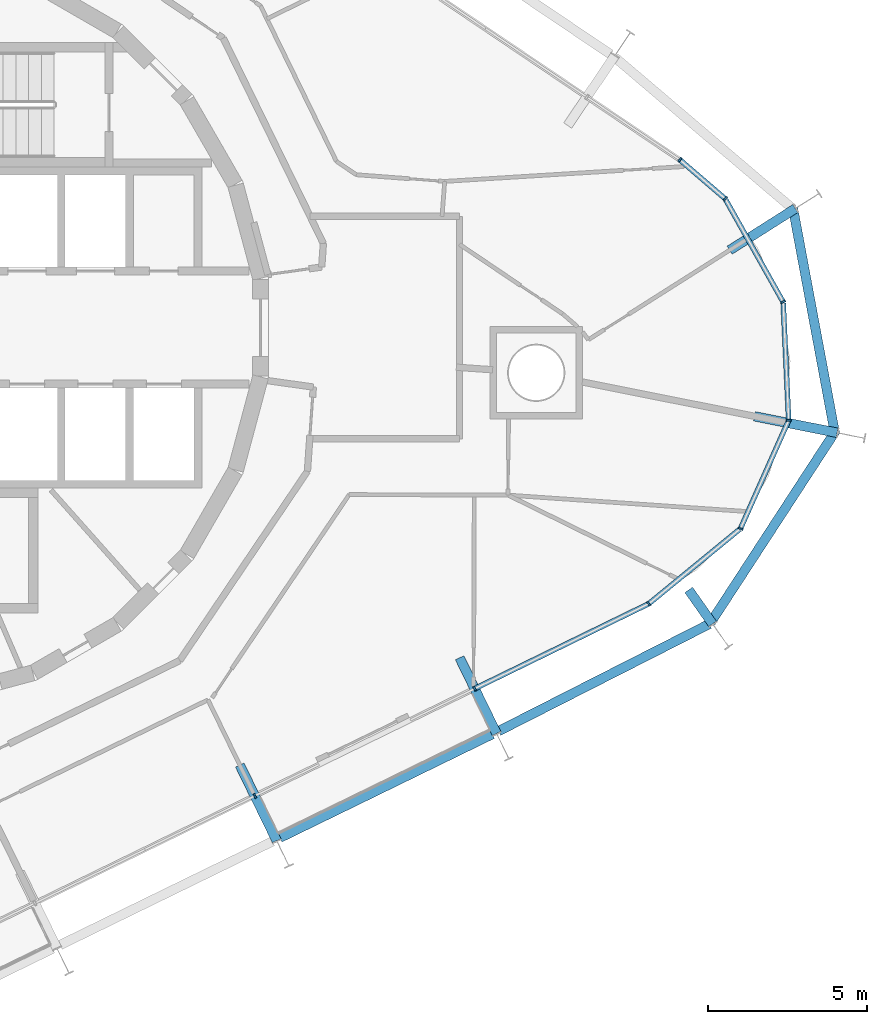
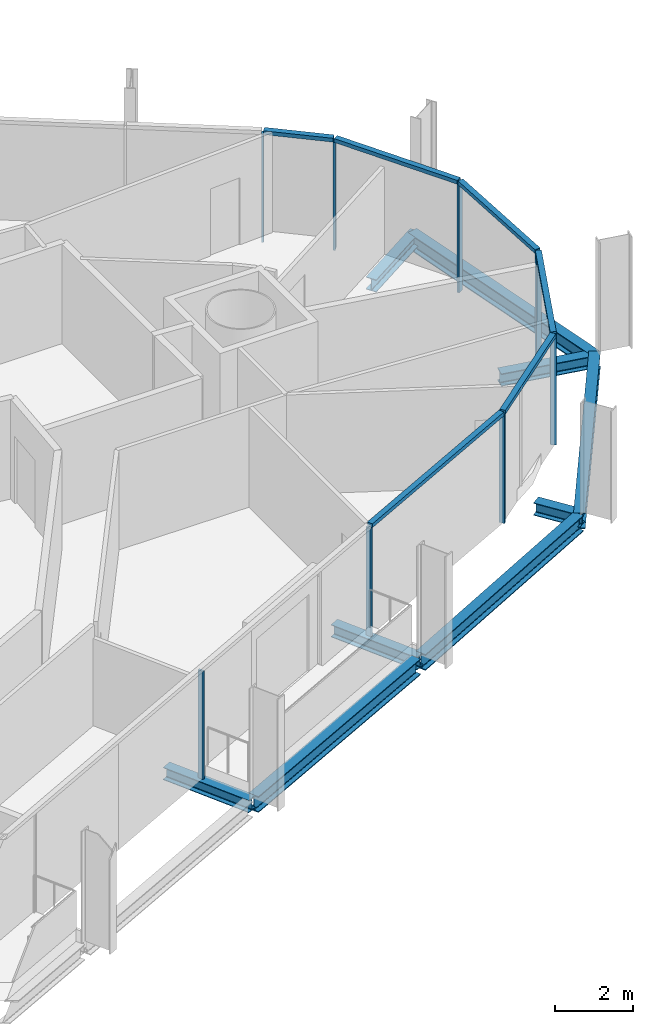
# One storey, part 5 of 17: 14 members, 9 beams, 2 elements without a shape of their own.
"""IFC4 building model written with IfcOpenShell, lengths in metres."""

from ifc_helpers import new_model, si_unit, direction, frame, origin, origin_2d, place, context, subcontext, project, spatial, rectangle, i_section, extrude, material, layer, layer_set, material_profile, profile_set, type_object, element, aggregate, save


model = new_model("IFC4")

# Units and contexts
model_context = context("Model", 3, precision=1e-05, world=origin(), true_north=direction((0.0, 1.0)))
body_context = subcontext(model_context, "Body", "Model", "MODEL_VIEW")
ifc_project = project(units=[si_unit("LENGTHUNIT", "METRE"), si_unit("AREAUNIT", "SQUARE_METRE"), si_unit("VOLUMEUNIT", "CUBIC_METRE"), si_unit("PLANEANGLEUNIT", "RADIAN"), si_unit("MASSUNIT", "GRAM", prefix="KILO")], contexts=[model_context])

# Site, building, storey
site_placement = place(None, origin())
site = spatial("IfcSite", under=ifc_project, at=site_placement, CompositionType="ELEMENT")
building_placement = place(site_placement, origin())
building = spatial("IfcBuilding", under=site, at=building_placement, Name="Spindle Arch Residences", CompositionType="ELEMENT")
storey_placement = place(building_placement, frame((0.0, 0.0, 209.39990234375)))
storey = spatial("IfcBuildingStorey", under=building, at=storey_placement, Name="L53", CompositionType="ELEMENT", Elevation=209.39990234375)

# Curtain wall, members
ifc_material_1 = material(Name="Aluminium bronze unitised frame with tinted glass", Category="aluminium")
ifc_layer_1 = layer(ifc_material_1, 0.159912109375)
ifc_layer_set_1 = layer_set([ifc_layer_1], Name="CW-D corner wall on the fillet arcs")
curtain_wall_type_1 = type_object("IfcCurtainWallType", Name="CW-D corner wall on the fillet arcs", PredefinedType="NOTDEFINED", material=ifc_layer_set_1)
curtain_wall_1_placement = place(storey_placement, origin())
curtain_wall_1 = element("IfcCurtainWall", 1, at=curtain_wall_1_placement, inside=storey, type_object=curtain_wall_type_1, Name="CW-D L53 run 1", PredefinedType="NOTDEFINED")
ifc_material_2 = material(Name="Aluminium bronze anodised mullion", Category="aluminium")
ifc_material_profile_1 = material_profile(ifc_material_2, rectangle(XDim=0.159912109375, YDim=0.06005859375, at=origin_2d()), Name="MU 60x160")
ifc_profile_set_1 = profile_set([ifc_material_profile_1], Name="Aluminium bronze anodised mullion")
member_type_1 = type_object("IfcMemberType", Name="Bronze mullion 60x160", PredefinedType="MULLION", material=ifc_profile_set_1)
member_1_placement = place(storey_placement, frame((18.377685546875, -11.353515625, -0.3798828125), z_axis=(0.0, 0.0, 1.0), x_axis=(-0.438371146789, 0.898794046299, 0.0)))
member_1 = element("IfcMember", 2, at=member_1_placement, type_object=member_type_1, Name="CW-D mullion 00", PredefinedType="MULLION", context=body_context, shape_type="SweptSolid", body=[
    extrude(rectangle(XDim=0.159912109375, YDim=0.06005859375, at=origin_2d()), origin(), (0.0, 0.0, 1.0), 3.3798828125),
])
member_2_placement = place(storey_placement, frame((23.85400390625, -8.6826171875, -0.3798828125), z_axis=(0.0, 0.0, 1.0), x_axis=(-0.633830963722, 0.773471595747, 0.0)))
member_2 = element("IfcMember", 3, at=member_2_placement, type_object=member_type_1, Name="CW-D mullion 01", PredefinedType="MULLION", context=body_context, shape_type="SweptSolid", body=[
    extrude(rectangle(XDim=0.159912109375, YDim=0.06005859375, at=origin_2d()), origin(), (0.0, 0.0, 1.0), 3.3798828125),
])
member_3_placement = place(storey_placement, frame((26.736572265625, -6.320556640625, -0.3798828125), z_axis=(0.0, 0.0, 1.0), x_axis=(-0.913545457934, 0.406736642422, 0.0)))
member_3 = element("IfcMember", 4, at=member_3_placement, type_object=member_type_1, Name="CW-D mullion 02", PredefinedType="MULLION", context=body_context, shape_type="SweptSolid", body=[
    extrude(rectangle(XDim=0.159912109375, YDim=0.06005859375, at=origin_2d()), origin(), (0.0, 0.0, 1.0), 3.3798828125),
])
member_4_placement = place(storey_placement, frame((28.252197265625, -2.916015625, -0.3798828125), z_axis=(0.0, 0.0, 1.0), x_axis=(-0.99891711126, -0.046525313877, 0.0)))
member_4 = element("IfcMember", 5, at=member_4_placement, type_object=member_type_1, Name="CW-D mullion 03", PredefinedType="MULLION", context=body_context, shape_type="SweptSolid", body=[
    extrude(rectangle(XDim=0.159912109375, YDim=0.06005859375, at=origin_2d()), origin(), (0.0, 0.0, 1.0), 3.3798828125),
])
member_5_placement = place(storey_placement, frame((28.078857421875, 0.806884765625, -0.3798828125), z_axis=(0.0, 0.0, 1.0), x_axis=(-0.871784414743, -0.489889716377, 0.0)))
member_5 = element("IfcMember", 6, at=member_5_placement, type_object=member_type_1, Name="CW-D mullion 04", PredefinedType="MULLION", context=body_context, shape_type="SweptSolid", body=[
    extrude(rectangle(XDim=0.159912109375, YDim=0.06005859375, at=origin_2d()), origin(), (0.0, 0.0, 1.0), 3.3798828125),
])
member_6_placement = place(storey_placement, frame((26.253173828125, 4.0556640625, -0.3798828125), z_axis=(0.0, 0.0, 1.0), x_axis=(-0.651657229382, -0.758513582867, 0.0)))
member_6 = element("IfcMember", 7, at=member_6_placement, type_object=member_type_1, Name="CW-D mullion 05", PredefinedType="MULLION", context=body_context, shape_type="SweptSolid", body=[
    extrude(rectangle(XDim=0.159912109375, YDim=0.06005859375, at=origin_2d()), origin(), (0.0, 0.0, 1.0), 3.3798828125),
])
member_7_placement = place(storey_placement, frame((24.830078125, 5.2783203125, -0.3798828125), z_axis=(0.0, 0.0, 1.0), x_axis=(-0.559192903471, -0.829037572555, 0.0)))
member_7 = element("IfcMember", 8, at=member_7_placement, type_object=member_type_1, Name="CW-D mullion 06", PredefinedType="MULLION", context=body_context, shape_type="SweptSolid", body=[
    extrude(rectangle(XDim=0.159912109375, YDim=0.06005859375, at=origin_2d()), origin(), (0.0, 0.0, 1.0), 3.3798828125),
])

# Curtain wall, member
ifc_material_3 = material(Name="Aluminium bronze unitised frame with tinted glass", Category="aluminium")
ifc_layer_2 = layer(ifc_material_3, 0.159912109375)
ifc_layer_set_2 = layer_set([ifc_layer_2], Name="CW-C typical residential unitised wall")
curtain_wall_type_2 = type_object("IfcCurtainWallType", Name="CW-C typical residential unitised wall", PredefinedType="NOTDEFINED", material=ifc_layer_set_2)
curtain_wall_2_placement = place(storey_placement, origin())
curtain_wall_2 = element("IfcCurtainWall", 9, at=curtain_wall_2_placement, inside=storey, type_object=curtain_wall_type_2, Name="CW-C L53 run 6", PredefinedType="NOTDEFINED")
member_8_placement = place(storey_placement, frame((11.46240234375, -14.726318359375, -0.3798828125), z_axis=(0.0, 0.0, 1.0), x_axis=(-0.438371146789, 0.898794046299, 0.0)))
member_8 = element("IfcMember", 10, at=member_8_placement, type_object=member_type_1, Name="CW-C mullion 00", PredefinedType="MULLION", context=body_context, shape_type="SweptSolid", body=[
    extrude(rectangle(XDim=0.159912109375, YDim=0.06005859375, at=origin_2d()), origin(), (0.0, 0.0, 1.0), 3.3798828125),
])
aggregate(curtain_wall_2, [member_8])

# Member
ifc_material_4 = material(Name="Aluminium bronze anodised transom", Category="aluminium")
ifc_material_profile_2 = material_profile(ifc_material_4, rectangle(XDim=0.159912109375, YDim=0.1201171875, at=origin_2d()), Name="TR 120x160")
ifc_profile_set_2 = profile_set([ifc_material_profile_2], Name="Aluminium bronze anodised transom")
member_type_2 = type_object("IfcMemberType", Name="Bronze transom 120x160", PredefinedType="USERDEFINED", material=ifc_profile_set_2)
member_9_placement = place(storey_placement, frame((18.404541015625, -11.340576171875, 3.06005859375), z_axis=(0.898786724344, 0.438386158704, 0.0), x_axis=(-0.438386158704, 0.898786724344, 0.0)))
member_9 = element("IfcMember", 11, at=member_9_placement, type_object=member_type_2, Name="CW-D transom 00", ObjectType="TRANSOM", PredefinedType="USERDEFINED", context=body_context, shape_type="SweptSolid", body=[
    extrude(rectangle(XDim=0.159912109375, YDim=0.1201171875, at=origin_2d()), origin(), (0.0, 0.0, 1.0), 6.032958984375),
])

member_10_placement = place(storey_placement, frame((23.877197265625, -8.66357421875, 3.06005859375), z_axis=(0.773494307947, 0.633803246737, 0.0), x_axis=(-0.633803246737, 0.773494307947, 0.0)))
member_10 = element("IfcMember", 12, at=member_10_placement, type_object=member_type_2, Name="CW-D transom 01", ObjectType="TRANSOM", PredefinedType="USERDEFINED", context=body_context, shape_type="SweptSolid", body=[
    extrude(rectangle(XDim=0.159912109375, YDim=0.1201171875, at=origin_2d()), origin(), (0.0, 0.0, 1.0), 3.666748046875),
])

member_11_placement = place(storey_placement, frame((26.748779296875, -6.29296875, 3.06005859375), z_axis=(0.406706770356, 0.913558757249, 0.0), x_axis=(-0.913558757249, 0.406706770356, 0.0)))
member_11 = element("IfcMember", 13, at=member_11_placement, type_object=member_type_2, Name="CW-D transom 02", ObjectType="TRANSOM", PredefinedType="USERDEFINED", context=body_context, shape_type="SweptSolid", body=[
    extrude(rectangle(XDim=0.159912109375, YDim=0.1201171875, at=origin_2d()), origin(), (0.0, 0.0, 1.0), 3.66650390625),
])

member_12_placement = place(storey_placement, frame((28.2509765625, -2.885986328125, 3.06005859375), z_axis=(-0.046540197037, 0.998916417955, 0.0), x_axis=(-0.998916417955, -0.046540197037, 0.0)))
member_12 = element("IfcMember", 14, at=member_12_placement, type_object=member_type_2, Name="CW-D transom 03", ObjectType="TRANSOM", PredefinedType="USERDEFINED", context=body_context, shape_type="SweptSolid", body=[
    extrude(rectangle(XDim=0.159912109375, YDim=0.1201171875, at=origin_2d()), origin(), (0.0, 0.0, 1.0), 3.666748046875),
])

member_13_placement = place(storey_placement, frame((28.064208984375, 0.8330078125, 3.06005859375), z_axis=(-0.489916630118, 0.871769290314, 0.0), x_axis=(-0.871769290314, -0.489916630118, 0.0)))
member_13 = element("IfcMember", 15, at=member_13_placement, type_object=member_type_2, Name="CW-D transom 04", ObjectType="TRANSOM", PredefinedType="USERDEFINED", context=body_context, shape_type="SweptSolid", body=[
    extrude(rectangle(XDim=0.159912109375, YDim=0.1201171875, at=origin_2d()), origin(), (0.0, 0.0, 1.0), 3.666748046875),
])

member_14_placement = place(storey_placement, frame((26.23046875, 4.0751953125, 3.06005859375), z_axis=(-0.758458936913, 0.651720830584, 0.0), x_axis=(-0.651720830584, -0.758458936913, 0.0)))
member_14 = element("IfcMember", 16, at=member_14_placement, type_object=member_type_2, Name="CW-D transom 05", ObjectType="TRANSOM", PredefinedType="USERDEFINED", context=body_context, shape_type="SweptSolid", body=[
    extrude(rectangle(XDim=0.159912109375, YDim=0.1201171875, at=origin_2d()), origin(), (0.0, 0.0, 1.0), 1.816162109375),
])

aggregate(curtain_wall_1, [member_1, member_9, member_2, member_10, member_3, member_11, member_4, member_12, member_5, member_13, member_6, member_14, member_7])

# Beams
ifc_material_5 = material(Name="Steel S460ML, intumescent coating R 120", Category="steel")
ifc_material_profile_3 = material_profile(ifc_material_5, i_section(OverallWidth=0.300048828125, OverallDepth=0.5, WebThickness=0.014404296875, FlangeThickness=0.028076171875, FilletRadius=0.027099609375, at=origin_2d()), Name="HEB 500")
ifc_profile_set_3 = profile_set([ifc_material_profile_3], Name="Steel S460ML, intumescent coating R 120")
beam_type_1 = type_object("IfcBeamType", Name="Exoskeleton edge beam HEB 500", PredefinedType="BEAM", material=ifc_profile_set_3)
beam_1_placement = place(storey_placement, frame((12.25, -16.04443359375, -0.6298828125), z_axis=(0.898804110297, 0.438350511935, 0.0), x_axis=(-0.438350511935, 0.898804110297, 0.0)))
element("IfcBeam", 17, at=beam_1_placement, inside=storey, type_object=beam_type_1, Name="Exoskeleton edge beam 1", PredefinedType="BEAM", context=body_context, shape_type="SweptSolid", body=[
    extrude(i_section(OverallWidth=0.300048828125, OverallDepth=0.5, WebThickness=0.014404296875, FlangeThickness=0.028076171875, FilletRadius=0.027099609375, at=origin_2d()), origin(), (0.0, 0.0, 1.0), 7.43359375),
])
beam_2_placement = place(storey_placement, frame((19.1298828125, -12.688232421875, -0.6298828125), z_axis=(0.891456240157, 0.453106799646, 0.0), x_axis=(-0.453106799646, 0.891456240157, 0.0)))
element("IfcBeam", 18, at=beam_2_placement, inside=storey, type_object=beam_type_1, Name="Exoskeleton edge beam 2", PredefinedType="BEAM", context=body_context, shape_type="SweptSolid", body=[
    extrude(i_section(OverallWidth=0.300048828125, OverallDepth=0.5, WebThickness=0.014404296875, FlangeThickness=0.028076171875, FilletRadius=0.027099609375, at=origin_2d()), origin(), (0.0, 0.0, 1.0), 7.427978515625),
])
beam_3_placement = place(storey_placement, frame((25.777099609375, -9.30908203125, -0.6298828125), z_axis=(0.546059217501, 0.837746579212, 0.0), x_axis=(-0.837746579212, 0.546059217501, 0.0)))
element("IfcBeam", 19, at=beam_3_placement, inside=storey, type_object=beam_type_1, Name="Exoskeleton edge beam 3", PredefinedType="BEAM", context=body_context, shape_type="SweptSolid", body=[
    extrude(i_section(OverallWidth=0.300048828125, OverallDepth=0.5, WebThickness=0.014404296875, FlangeThickness=0.028076171875, FilletRadius=0.027099609375, at=origin_2d()), origin(), (0.0, 0.0, 1.0), 7.249267578125),
])
beam_4_placement = place(storey_placement, frame((29.71142578125, -3.356689453125, -0.6298828125), z_axis=(-0.183047966733, 0.983103983246, 0.0), x_axis=(-0.983103983246, -0.183047966733, 0.0)))
element("IfcBeam", 20, at=beam_4_placement, inside=storey, type_object=beam_type_1, Name="Exoskeleton edge beam 4", PredefinedType="BEAM", context=body_context, shape_type="SweptSolid", body=[
    extrude(i_section(OverallWidth=0.300048828125, OverallDepth=0.5, WebThickness=0.014404296875, FlangeThickness=0.028076171875, FilletRadius=0.027099609375, at=origin_2d()), origin(), (0.0, 0.0, 1.0), 7.2490234375),
])
ifc_material_6 = material(Name="Steel S460ML, intumescent coating R 120", Category="steel")
ifc_material_profile_4 = material_profile(ifc_material_6, i_section(OverallWidth=0.300048828125, OverallDepth=0.389892578125, WebThickness=0.010986328125, FlangeThickness=0.01904296875, FilletRadius=0.027099609375, at=origin_2d()), Name="HEA 400")
ifc_profile_set_4 = profile_set([ifc_material_profile_4], Name="Steel S460ML, intumescent coating R 120")
beam_type_2 = type_object("IfcBeamType", Name="Floor outrigger HEA 400", PredefinedType="BEAM", material=ifc_profile_set_4)
beam_5_placement = place(storey_placement, frame((12.150634765625, -16.137451171875, -0.574951171875), z_axis=(-0.438347395329, 0.898805630272, 0.0), x_axis=(-0.898805630272, -0.438347395329, 0.0)))
element("IfcBeam", 21, at=beam_5_placement, inside=storey, type_object=beam_type_2, Name="Floor outrigger 1", PredefinedType="BEAM", context=body_context, shape_type="SweptSolid", body=[
    extrude(i_section(OverallWidth=0.300048828125, OverallDepth=0.389892578125, WebThickness=0.010986328125, FlangeThickness=0.01904296875, FilletRadius=0.027099609375, at=origin_2d()), origin(), (0.0, 0.0, 1.0), 2.64990234375),
])
beam_6_placement = place(storey_placement, frame((19.06591796875, -12.7646484375, -0.574951171875), z_axis=(-0.438421816972, 0.898769331032, 0.0), x_axis=(-0.898769331032, -0.438421816972, 0.0)))
element("IfcBeam", 22, at=beam_6_placement, inside=storey, type_object=beam_type_2, Name="Floor outrigger 2", PredefinedType="BEAM", context=body_context, shape_type="SweptSolid", body=[
    extrude(i_section(OverallWidth=0.300048828125, OverallDepth=0.389892578125, WebThickness=0.010986328125, FlangeThickness=0.01904296875, FilletRadius=0.027099609375, at=origin_2d()), origin(), (0.0, 0.0, 1.0), 2.650146484375),
])
beam_7_placement = place(storey_placement, frame((25.858154296875, -9.3173828125, -0.574951171875), z_axis=(-0.574827287121, 0.818274764356, 0.0), x_axis=(-0.818274764356, -0.574827287121, 0.0)))
element("IfcBeam", 23, at=beam_7_placement, inside=storey, type_object=beam_type_2, Name="Floor outrigger 3", PredefinedType="BEAM", context=body_context, shape_type="SweptSolid", body=[
    extrude(i_section(OverallWidth=0.300048828125, OverallDepth=0.389892578125, WebThickness=0.010986328125, FlangeThickness=0.01904296875, FilletRadius=0.027099609375, at=origin_2d()), origin(), (0.0, 0.0, 1.0), 1.3076171875),
])
beam_8_placement = place(storey_placement, frame((29.775634765625, -3.306884765625, -0.574951171875), z_axis=(-0.980704498332, 0.195496002392, 0.0), x_axis=(-0.195496002392, -0.980704498332, 0.0)))
element("IfcBeam", 24, at=beam_8_placement, inside=storey, type_object=beam_type_2, Name="Floor outrigger 4", PredefinedType="BEAM", context=body_context, shape_type="SweptSolid", body=[
    extrude(i_section(OverallWidth=0.300048828125, OverallDepth=0.389892578125, WebThickness=0.010986328125, FlangeThickness=0.01904296875, FilletRadius=0.027099609375, at=origin_2d()), origin(), (0.0, 0.0, 1.0), 2.64990234375),
])
beam_9_placement = place(storey_placement, frame((28.46240234375, 3.746337890625, -0.574951171875), z_axis=(-0.844575652312, -0.535436240388, 0.0), x_axis=(0.535436240388, -0.844575652312, 0.0)))
element("IfcBeam", 25, at=beam_9_placement, inside=storey, type_object=beam_type_2, Name="Floor outrigger 5", PredefinedType="BEAM", context=body_context, shape_type="SweptSolid", body=[
    extrude(i_section(OverallWidth=0.300048828125, OverallDepth=0.389892578125, WebThickness=0.010986328125, FlangeThickness=0.01904296875, FilletRadius=0.027099609375, at=origin_2d()), origin(), (0.0, 0.0, 1.0), 2.448974609375),
])

save(model, "model.ifc")
